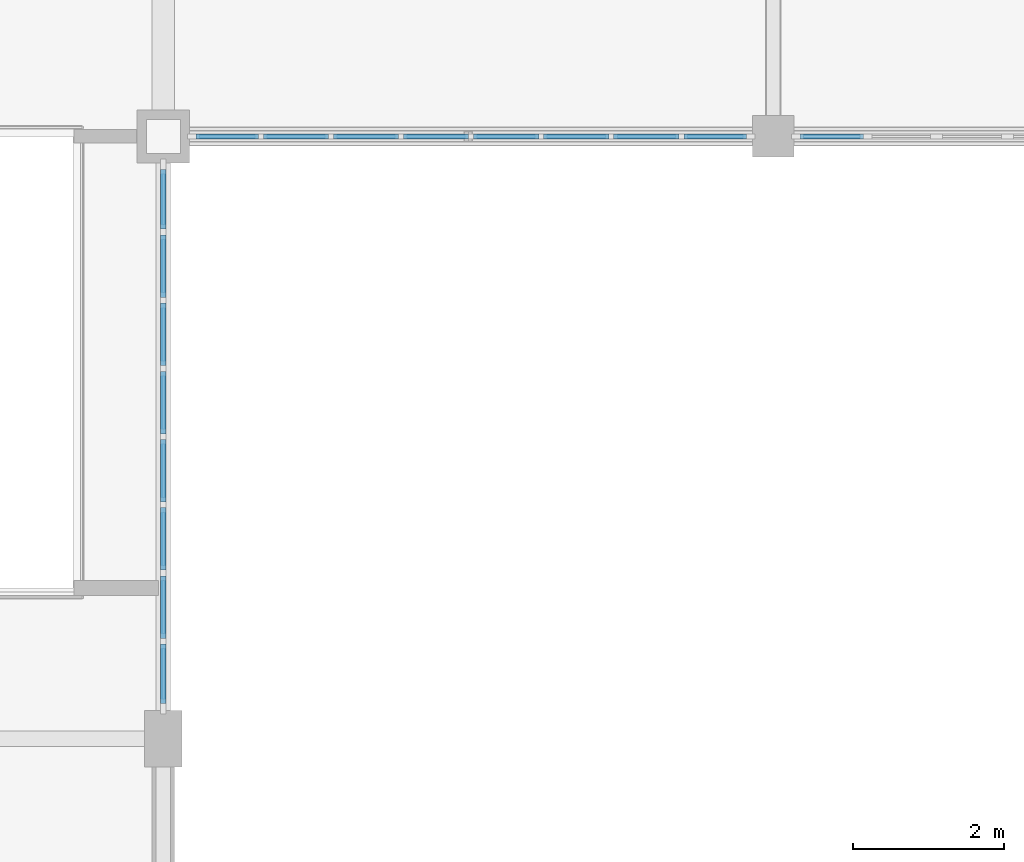
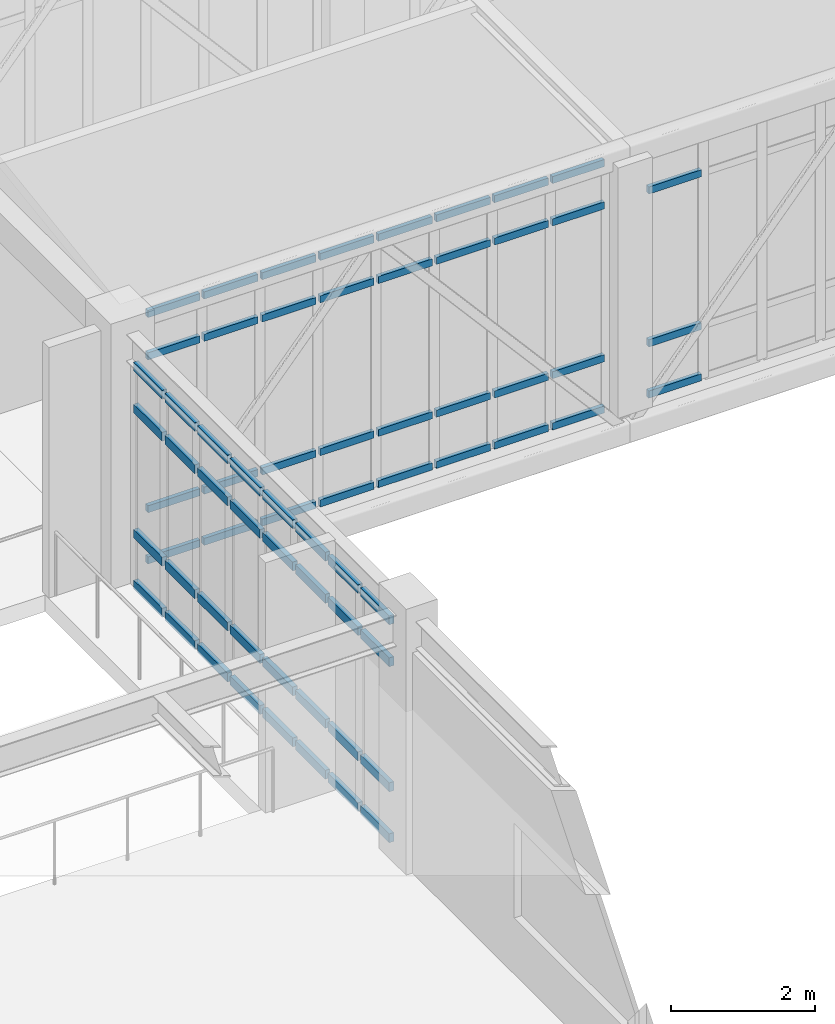
# One storey, part 21 of 67: 67 members, 3 elements without a shape of their own.
"""IFC4 building model written with IfcOpenShell, lengths in metres."""

from ifc_helpers import new_model, si_unit, direction, frame, origin, origin_2d, place, context, subcontext, project, spatial, rectangle, extrude, material, material_profile, profile_set, type_object, element, aggregate, save


model = new_model("IFC4")

# Units and contexts
model_context = context("Model", 3, precision=1e-05, world=origin(), true_north=direction((0.0, 1.0)))
body_context = subcontext(model_context, "Body", "Model", "MODEL_VIEW")
ifc_project = project(units=[si_unit("LENGTHUNIT", "METRE"), si_unit("AREAUNIT", "SQUARE_METRE"), si_unit("VOLUMEUNIT", "CUBIC_METRE"), si_unit("PLANEANGLEUNIT", "RADIAN"), si_unit("MASSUNIT", "GRAM", prefix="KILO")], contexts=[model_context])

# Site, building, storey
site_placement = place(None, origin())
site = spatial("IfcSite", under=ifc_project, at=site_placement, CompositionType="ELEMENT")
building_placement = place(site_placement, origin())
building = spatial("IfcBuilding", under=site, at=building_placement, Name="Tarnveldt Square Police Headquarters", CompositionType="ELEMENT")
storey_placement = place(building_placement, frame((0.0, 0.0, 10.199951171875)))
storey = spatial("IfcBuildingStorey", under=building, at=storey_placement, Name="L02", CompositionType="ELEMENT", Elevation=10.199951171875)

# Curtain wall, members
ifc_material_1 = material(Name="Triple-glazed low-e laminated vision glass", Category="glass")
curtain_wall_type_1 = type_object("IfcCurtainWallType", Name="CW-SB-744x424", PredefinedType="USERDEFINED", material=ifc_material_1)
curtain_wall_1_placement = place(storey_placement, origin())
curtain_wall_1 = element("IfcCurtainWall", 1, at=curtain_wall_1_placement, inside=storey, type_object=curtain_wall_type_1, Name="L02 Curtain Wall CW-L02-138", ObjectType="GLAZED CURTAIN WALL", PredefinedType="USERDEFINED")
ifc_material_2 = material(Name="Thermally broken anodised aluminium 6063-T6", Category="aluminium")
ifc_material_profile_1 = material_profile(ifc_material_2, rectangle(XDim=0.06494140625, YDim=0.1201171875, at=origin_2d()), Name="CW-T65x120")
ifc_profile_set_1 = profile_set([ifc_material_profile_1], Name="Thermally broken anodised aluminium 6063-T6")
member_type_1 = type_object("IfcMemberType", Name="CWT-65x120", PredefinedType="USERDEFINED", material=ifc_profile_set_1)
member_1_placement = place(storey_placement, frame((49.030029296875, 56.0, 0.032470703125), z_axis=(1.0, 0.0, 0.0), x_axis=(0.0, 1.0, 0.0)))
member_1 = element("IfcMember", 2, at=member_1_placement, type_object=member_type_1, Name="CW-SB85 transom 1.1", ObjectType="TRANSOM", PredefinedType="USERDEFINED", context=body_context, shape_type="SweptSolid", body=[
    extrude(rectangle(XDim=0.06494140625, YDim=0.1201171875, at=origin_2d()), origin(), (0.0, 0.0, 1.0), 0.8330078125),
])
member_2_placement = place(storey_placement, frame((49.030029296875, 56.0, 0.900146484375), z_axis=(1.0, 0.0, 0.0), x_axis=(0.0, 1.0, 0.0)))
member_2 = element("IfcMember", 3, at=member_2_placement, type_object=member_type_1, Name="CW-SB85 transom 1.2", ObjectType="TRANSOM", PredefinedType="USERDEFINED", context=body_context, shape_type="SweptSolid", body=[
    extrude(rectangle(XDim=0.06494140625, YDim=0.1201171875, at=origin_2d()), origin(), (0.0, 0.0, 1.0), 0.8330078125),
])
member_3_placement = place(storey_placement, frame((49.030029296875, 56.0, 3.489990234375), z_axis=(1.0, 0.0, 0.0), x_axis=(0.0, 1.0, 0.0)))
member_3 = element("IfcMember", 4, at=member_3_placement, type_object=member_type_1, Name="CW-SB85 transom 1.3", ObjectType="TRANSOM", PredefinedType="USERDEFINED", context=body_context, shape_type="SweptSolid", body=[
    extrude(rectangle(XDim=0.06494140625, YDim=0.1201171875, at=origin_2d()), origin(), (0.0, 0.0, 1.0), 0.8330078125),
])
member_4_placement = place(storey_placement, frame((49.030029296875, 56.0, 4.20751953125), z_axis=(1.0, 0.0, 0.0), x_axis=(0.0, 1.0, 0.0)))
member_4 = element("IfcMember", 5, at=member_4_placement, type_object=member_type_1, Name="CW-SB85 transom 1.4", ObjectType="TRANSOM", PredefinedType="USERDEFINED", context=body_context, shape_type="SweptSolid", body=[
    extrude(rectangle(XDim=0.06494140625, YDim=0.1201171875, at=origin_2d()), origin(), (0.0, 0.0, 1.0), 0.8330078125),
])
member_5_placement = place(storey_placement, frame((49.92822265625, 56.0, 0.032470703125), z_axis=(1.0, 0.0, 0.0), x_axis=(0.0, 1.0, 0.0)))
member_5 = element("IfcMember", 6, at=member_5_placement, type_object=member_type_1, Name="CW-SB85 transom 2.1", ObjectType="TRANSOM", PredefinedType="USERDEFINED", context=body_context, shape_type="SweptSolid", body=[
    extrude(rectangle(XDim=0.06494140625, YDim=0.1201171875, at=origin_2d()), origin(), (0.0, 0.0, 1.0), 0.865478515625),
])
member_6_placement = place(storey_placement, frame((49.92822265625, 56.0, 0.900146484375), z_axis=(1.0, 0.0, 0.0), x_axis=(0.0, 1.0, 0.0)))
member_6 = element("IfcMember", 7, at=member_6_placement, type_object=member_type_1, Name="CW-SB85 transom 2.2", ObjectType="TRANSOM", PredefinedType="USERDEFINED", context=body_context, shape_type="SweptSolid", body=[
    extrude(rectangle(XDim=0.06494140625, YDim=0.1201171875, at=origin_2d()), origin(), (0.0, 0.0, 1.0), 0.865478515625),
])
member_7_placement = place(storey_placement, frame((49.92822265625, 56.0, 3.489990234375), z_axis=(1.0, 0.0, 0.0), x_axis=(0.0, 1.0, 0.0)))
member_7 = element("IfcMember", 8, at=member_7_placement, type_object=member_type_1, Name="CW-SB85 transom 2.3", ObjectType="TRANSOM", PredefinedType="USERDEFINED", context=body_context, shape_type="SweptSolid", body=[
    extrude(rectangle(XDim=0.06494140625, YDim=0.1201171875, at=origin_2d()), origin(), (0.0, 0.0, 1.0), 0.865478515625),
])
member_8_placement = place(storey_placement, frame((49.92822265625, 56.0, 4.20751953125), z_axis=(1.0, 0.0, 0.0), x_axis=(0.0, 1.0, 0.0)))
member_8 = element("IfcMember", 9, at=member_8_placement, type_object=member_type_1, Name="CW-SB85 transom 2.4", ObjectType="TRANSOM", PredefinedType="USERDEFINED", context=body_context, shape_type="SweptSolid", body=[
    extrude(rectangle(XDim=0.06494140625, YDim=0.1201171875, at=origin_2d()), origin(), (0.0, 0.0, 1.0), 0.865478515625),
])
member_9_placement = place(storey_placement, frame((50.858642578125, 56.0, 0.032470703125), z_axis=(1.0, 0.0, 0.0), x_axis=(0.0, 1.0, 0.0)))
member_9 = element("IfcMember", 10, at=member_9_placement, type_object=member_type_1, Name="CW-SB85 transom 3.1", ObjectType="TRANSOM", PredefinedType="USERDEFINED", context=body_context, shape_type="SweptSolid", body=[
    extrude(rectangle(XDim=0.06494140625, YDim=0.1201171875, at=origin_2d()), origin(), (0.0, 0.0, 1.0), 0.86572265625),
])
member_10_placement = place(storey_placement, frame((50.858642578125, 56.0, 0.900146484375), z_axis=(1.0, 0.0, 0.0), x_axis=(0.0, 1.0, 0.0)))
member_10 = element("IfcMember", 11, at=member_10_placement, type_object=member_type_1, Name="CW-SB85 transom 3.2", ObjectType="TRANSOM", PredefinedType="USERDEFINED", context=body_context, shape_type="SweptSolid", body=[
    extrude(rectangle(XDim=0.06494140625, YDim=0.1201171875, at=origin_2d()), origin(), (0.0, 0.0, 1.0), 0.86572265625),
])
member_11_placement = place(storey_placement, frame((50.858642578125, 56.0, 3.489990234375), z_axis=(1.0, 0.0, 0.0), x_axis=(0.0, 1.0, 0.0)))
member_11 = element("IfcMember", 12, at=member_11_placement, type_object=member_type_1, Name="CW-SB85 transom 3.3", ObjectType="TRANSOM", PredefinedType="USERDEFINED", context=body_context, shape_type="SweptSolid", body=[
    extrude(rectangle(XDim=0.06494140625, YDim=0.1201171875, at=origin_2d()), origin(), (0.0, 0.0, 1.0), 0.86572265625),
])
member_12_placement = place(storey_placement, frame((50.858642578125, 56.0, 4.20751953125), z_axis=(1.0, 0.0, 0.0), x_axis=(0.0, 1.0, 0.0)))
member_12 = element("IfcMember", 13, at=member_12_placement, type_object=member_type_1, Name="CW-SB85 transom 3.4", ObjectType="TRANSOM", PredefinedType="USERDEFINED", context=body_context, shape_type="SweptSolid", body=[
    extrude(rectangle(XDim=0.06494140625, YDim=0.1201171875, at=origin_2d()), origin(), (0.0, 0.0, 1.0), 0.86572265625),
])
member_13_placement = place(storey_placement, frame((51.789306640625, 56.0, 0.032470703125), z_axis=(1.0, 0.0, 0.0), x_axis=(0.0, 1.0, 0.0)))
member_13 = element("IfcMember", 14, at=member_13_placement, type_object=member_type_1, Name="CW-SB85 transom 4.1", ObjectType="TRANSOM", PredefinedType="USERDEFINED", context=body_context, shape_type="SweptSolid", body=[
    extrude(rectangle(XDim=0.06494140625, YDim=0.1201171875, at=origin_2d()), origin(), (0.0, 0.0, 1.0), 0.86572265625),
])
member_14_placement = place(storey_placement, frame((51.789306640625, 56.0, 0.900146484375), z_axis=(1.0, 0.0, 0.0), x_axis=(0.0, 1.0, 0.0)))
member_14 = element("IfcMember", 15, at=member_14_placement, type_object=member_type_1, Name="CW-SB85 transom 4.2", ObjectType="TRANSOM", PredefinedType="USERDEFINED", context=body_context, shape_type="SweptSolid", body=[
    extrude(rectangle(XDim=0.06494140625, YDim=0.1201171875, at=origin_2d()), origin(), (0.0, 0.0, 1.0), 0.86572265625),
])
member_15_placement = place(storey_placement, frame((51.789306640625, 56.0, 3.489990234375), z_axis=(1.0, 0.0, 0.0), x_axis=(0.0, 1.0, 0.0)))
member_15 = element("IfcMember", 16, at=member_15_placement, type_object=member_type_1, Name="CW-SB85 transom 4.3", ObjectType="TRANSOM", PredefinedType="USERDEFINED", context=body_context, shape_type="SweptSolid", body=[
    extrude(rectangle(XDim=0.06494140625, YDim=0.1201171875, at=origin_2d()), origin(), (0.0, 0.0, 1.0), 0.86572265625),
])
member_16_placement = place(storey_placement, frame((51.789306640625, 56.0, 4.20751953125), z_axis=(1.0, 0.0, 0.0), x_axis=(0.0, 1.0, 0.0)))
member_16 = element("IfcMember", 17, at=member_16_placement, type_object=member_type_1, Name="CW-SB85 transom 4.4", ObjectType="TRANSOM", PredefinedType="USERDEFINED", context=body_context, shape_type="SweptSolid", body=[
    extrude(rectangle(XDim=0.06494140625, YDim=0.1201171875, at=origin_2d()), origin(), (0.0, 0.0, 1.0), 0.86572265625),
])
member_17_placement = place(storey_placement, frame((52.719970703125, 56.0, 0.032470703125), z_axis=(1.0, 0.0, 0.0), x_axis=(0.0, 1.0, 0.0)))
member_17 = element("IfcMember", 18, at=member_17_placement, type_object=member_type_1, Name="CW-SB85 transom 5.1", ObjectType="TRANSOM", PredefinedType="USERDEFINED", context=body_context, shape_type="SweptSolid", body=[
    extrude(rectangle(XDim=0.06494140625, YDim=0.1201171875, at=origin_2d()), origin(), (0.0, 0.0, 1.0), 0.86572265625),
])
member_18_placement = place(storey_placement, frame((52.719970703125, 56.0, 0.900146484375), z_axis=(1.0, 0.0, 0.0), x_axis=(0.0, 1.0, 0.0)))
member_18 = element("IfcMember", 19, at=member_18_placement, type_object=member_type_1, Name="CW-SB85 transom 5.2", ObjectType="TRANSOM", PredefinedType="USERDEFINED", context=body_context, shape_type="SweptSolid", body=[
    extrude(rectangle(XDim=0.06494140625, YDim=0.1201171875, at=origin_2d()), origin(), (0.0, 0.0, 1.0), 0.86572265625),
])
member_19_placement = place(storey_placement, frame((52.719970703125, 56.0, 3.489990234375), z_axis=(1.0, 0.0, 0.0), x_axis=(0.0, 1.0, 0.0)))
member_19 = element("IfcMember", 20, at=member_19_placement, type_object=member_type_1, Name="CW-SB85 transom 5.3", ObjectType="TRANSOM", PredefinedType="USERDEFINED", context=body_context, shape_type="SweptSolid", body=[
    extrude(rectangle(XDim=0.06494140625, YDim=0.1201171875, at=origin_2d()), origin(), (0.0, 0.0, 1.0), 0.86572265625),
])
member_20_placement = place(storey_placement, frame((52.719970703125, 56.0, 4.20751953125), z_axis=(1.0, 0.0, 0.0), x_axis=(0.0, 1.0, 0.0)))
member_20 = element("IfcMember", 21, at=member_20_placement, type_object=member_type_1, Name="CW-SB85 transom 5.4", ObjectType="TRANSOM", PredefinedType="USERDEFINED", context=body_context, shape_type="SweptSolid", body=[
    extrude(rectangle(XDim=0.06494140625, YDim=0.1201171875, at=origin_2d()), origin(), (0.0, 0.0, 1.0), 0.86572265625),
])
member_21_placement = place(storey_placement, frame((53.650634765625, 56.0, 0.032470703125), z_axis=(1.0, 0.0, 0.0), x_axis=(0.0, 1.0, 0.0)))
member_21 = element("IfcMember", 22, at=member_21_placement, type_object=member_type_1, Name="CW-SB85 transom 6.1", ObjectType="TRANSOM", PredefinedType="USERDEFINED", context=body_context, shape_type="SweptSolid", body=[
    extrude(rectangle(XDim=0.06494140625, YDim=0.1201171875, at=origin_2d()), origin(), (0.0, 0.0, 1.0), 0.86572265625),
])
member_22_placement = place(storey_placement, frame((53.650634765625, 56.0, 0.900146484375), z_axis=(1.0, 0.0, 0.0), x_axis=(0.0, 1.0, 0.0)))
member_22 = element("IfcMember", 23, at=member_22_placement, type_object=member_type_1, Name="CW-SB85 transom 6.2", ObjectType="TRANSOM", PredefinedType="USERDEFINED", context=body_context, shape_type="SweptSolid", body=[
    extrude(rectangle(XDim=0.06494140625, YDim=0.1201171875, at=origin_2d()), origin(), (0.0, 0.0, 1.0), 0.86572265625),
])
member_23_placement = place(storey_placement, frame((53.650634765625, 56.0, 3.489990234375), z_axis=(1.0, 0.0, 0.0), x_axis=(0.0, 1.0, 0.0)))
member_23 = element("IfcMember", 24, at=member_23_placement, type_object=member_type_1, Name="CW-SB85 transom 6.3", ObjectType="TRANSOM", PredefinedType="USERDEFINED", context=body_context, shape_type="SweptSolid", body=[
    extrude(rectangle(XDim=0.06494140625, YDim=0.1201171875, at=origin_2d()), origin(), (0.0, 0.0, 1.0), 0.86572265625),
])
member_24_placement = place(storey_placement, frame((53.650634765625, 56.0, 4.20751953125), z_axis=(1.0, 0.0, 0.0), x_axis=(0.0, 1.0, 0.0)))
member_24 = element("IfcMember", 25, at=member_24_placement, type_object=member_type_1, Name="CW-SB85 transom 6.4", ObjectType="TRANSOM", PredefinedType="USERDEFINED", context=body_context, shape_type="SweptSolid", body=[
    extrude(rectangle(XDim=0.06494140625, YDim=0.1201171875, at=origin_2d()), origin(), (0.0, 0.0, 1.0), 0.86572265625),
])
member_25_placement = place(storey_placement, frame((54.581298828125, 56.0, 0.032470703125), z_axis=(1.0, 0.0, 0.0), x_axis=(0.0, 1.0, 0.0)))
member_25 = element("IfcMember", 26, at=member_25_placement, type_object=member_type_1, Name="CW-SB85 transom 7.1", ObjectType="TRANSOM", PredefinedType="USERDEFINED", context=body_context, shape_type="SweptSolid", body=[
    extrude(rectangle(XDim=0.06494140625, YDim=0.1201171875, at=origin_2d()), origin(), (0.0, 0.0, 1.0), 0.865478515625),
])
member_26_placement = place(storey_placement, frame((54.581298828125, 56.0, 0.900146484375), z_axis=(1.0, 0.0, 0.0), x_axis=(0.0, 1.0, 0.0)))
member_26 = element("IfcMember", 27, at=member_26_placement, type_object=member_type_1, Name="CW-SB85 transom 7.2", ObjectType="TRANSOM", PredefinedType="USERDEFINED", context=body_context, shape_type="SweptSolid", body=[
    extrude(rectangle(XDim=0.06494140625, YDim=0.1201171875, at=origin_2d()), origin(), (0.0, 0.0, 1.0), 0.865478515625),
])
member_27_placement = place(storey_placement, frame((54.581298828125, 56.0, 3.489990234375), z_axis=(1.0, 0.0, 0.0), x_axis=(0.0, 1.0, 0.0)))
member_27 = element("IfcMember", 28, at=member_27_placement, type_object=member_type_1, Name="CW-SB85 transom 7.3", ObjectType="TRANSOM", PredefinedType="USERDEFINED", context=body_context, shape_type="SweptSolid", body=[
    extrude(rectangle(XDim=0.06494140625, YDim=0.1201171875, at=origin_2d()), origin(), (0.0, 0.0, 1.0), 0.865478515625),
])
member_28_placement = place(storey_placement, frame((54.581298828125, 56.0, 4.20751953125), z_axis=(1.0, 0.0, 0.0), x_axis=(0.0, 1.0, 0.0)))
member_28 = element("IfcMember", 29, at=member_28_placement, type_object=member_type_1, Name="CW-SB85 transom 7.4", ObjectType="TRANSOM", PredefinedType="USERDEFINED", context=body_context, shape_type="SweptSolid", body=[
    extrude(rectangle(XDim=0.06494140625, YDim=0.1201171875, at=origin_2d()), origin(), (0.0, 0.0, 1.0), 0.865478515625),
])
member_29_placement = place(storey_placement, frame((55.511962890625, 56.0, 0.032470703125), z_axis=(1.0, 0.0, 0.0), x_axis=(0.0, 1.0, 0.0)))
member_29 = element("IfcMember", 30, at=member_29_placement, type_object=member_type_1, Name="CW-SB85 transom 8.1", ObjectType="TRANSOM", PredefinedType="USERDEFINED", context=body_context, shape_type="SweptSolid", body=[
    extrude(rectangle(XDim=0.06494140625, YDim=0.1201171875, at=origin_2d()), origin(), (0.0, 0.0, 1.0), 0.8330078125),
])
member_30_placement = place(storey_placement, frame((55.511962890625, 56.0, 0.900146484375), z_axis=(1.0, 0.0, 0.0), x_axis=(0.0, 1.0, 0.0)))
member_30 = element("IfcMember", 31, at=member_30_placement, type_object=member_type_1, Name="CW-SB85 transom 8.2", ObjectType="TRANSOM", PredefinedType="USERDEFINED", context=body_context, shape_type="SweptSolid", body=[
    extrude(rectangle(XDim=0.06494140625, YDim=0.1201171875, at=origin_2d()), origin(), (0.0, 0.0, 1.0), 0.8330078125),
])
member_31_placement = place(storey_placement, frame((55.511962890625, 56.0, 3.489990234375), z_axis=(1.0, 0.0, 0.0), x_axis=(0.0, 1.0, 0.0)))
member_31 = element("IfcMember", 32, at=member_31_placement, type_object=member_type_1, Name="CW-SB85 transom 8.3", ObjectType="TRANSOM", PredefinedType="USERDEFINED", context=body_context, shape_type="SweptSolid", body=[
    extrude(rectangle(XDim=0.06494140625, YDim=0.1201171875, at=origin_2d()), origin(), (0.0, 0.0, 1.0), 0.8330078125),
])
member_32_placement = place(storey_placement, frame((55.511962890625, 56.0, 4.20751953125), z_axis=(1.0, 0.0, 0.0), x_axis=(0.0, 1.0, 0.0)))
member_32 = element("IfcMember", 33, at=member_32_placement, type_object=member_type_1, Name="CW-SB85 transom 8.4", ObjectType="TRANSOM", PredefinedType="USERDEFINED", context=body_context, shape_type="SweptSolid", body=[
    extrude(rectangle(XDim=0.06494140625, YDim=0.1201171875, at=origin_2d()), origin(), (0.0, 0.0, 1.0), 0.8330078125),
])
aggregate(curtain_wall_1, [member_1, member_2, member_3, member_4, member_5, member_6, member_7, member_8, member_9, member_10, member_11, member_12, member_13, member_14, member_15, member_16, member_17, member_18, member_19, member_20, member_21, member_22, member_23, member_24, member_25, member_26, member_27, member_28, member_29, member_30, member_31, member_32])

curtain_wall_type_2 = type_object("IfcCurtainWallType", Name="CW-SB-752x424", PredefinedType="USERDEFINED", material=ifc_material_1)
curtain_wall_2_placement = place(storey_placement, origin())
curtain_wall_2 = element("IfcCurtainWall", 34, at=curtain_wall_2_placement, inside=storey, type_object=curtain_wall_type_2, Name="L02 Curtain Wall CW-L02-139", ObjectType="GLAZED CURTAIN WALL", PredefinedType="USERDEFINED")
member_33_placement = place(storey_placement, frame((57.054931640625, 56.0, 0.032470703125), z_axis=(1.0, 0.0, 0.0), x_axis=(0.0, 1.0, 0.0)))
member_33 = element("IfcMember", 35, at=member_33_placement, type_object=member_type_1, Name="CW-SB86 transom 1.1", ObjectType="TRANSOM", PredefinedType="USERDEFINED", context=body_context, shape_type="SweptSolid", body=[
    extrude(rectangle(XDim=0.06494140625, YDim=0.1201171875, at=origin_2d()), origin(), (0.0, 0.0, 1.0), 0.842529296875),
])
member_34_placement = place(storey_placement, frame((57.054931640625, 56.0, 0.900146484375), z_axis=(1.0, 0.0, 0.0), x_axis=(0.0, 1.0, 0.0)))
member_34 = element("IfcMember", 36, at=member_34_placement, type_object=member_type_1, Name="CW-SB86 transom 1.2", ObjectType="TRANSOM", PredefinedType="USERDEFINED", context=body_context, shape_type="SweptSolid", body=[
    extrude(rectangle(XDim=0.06494140625, YDim=0.1201171875, at=origin_2d()), origin(), (0.0, 0.0, 1.0), 0.842529296875),
])
member_35_placement = place(storey_placement, frame((57.054931640625, 56.0, 3.489990234375), z_axis=(1.0, 0.0, 0.0), x_axis=(0.0, 1.0, 0.0)))
member_35 = element("IfcMember", 37, at=member_35_placement, type_object=member_type_1, Name="CW-SB86 transom 1.3", ObjectType="TRANSOM", PredefinedType="USERDEFINED", context=body_context, shape_type="SweptSolid", body=[
    extrude(rectangle(XDim=0.06494140625, YDim=0.1201171875, at=origin_2d()), origin(), (0.0, 0.0, 1.0), 0.842529296875),
])
aggregate(curtain_wall_2, [member_33, member_34, member_35])

curtain_wall_type_3 = type_object("IfcCurtainWallType", Name="CW-WG-724x377", PredefinedType="USERDEFINED", material=ifc_material_1)
curtain_wall_3_placement = place(storey_placement, origin())
curtain_wall_3 = element("IfcCurtainWall", 38, at=curtain_wall_3_placement, inside=storey, type_object=curtain_wall_type_3, Name="L02 Curtain Wall CW-L02-073", ObjectType="GLAZED CURTAIN WALL", PredefinedType="USERDEFINED")
ifc_material_profile_2 = material_profile(ifc_material_2, rectangle(XDim=0.074951171875, YDim=0.14990234375, at=origin_2d()), Name="CW-T75x150")
ifc_profile_set_2 = profile_set([ifc_material_profile_2], Name="Thermally broken anodised aluminium 6063-T6")
member_type_2 = type_object("IfcMemberType", Name="CWT-75x150", PredefinedType="USERDEFINED", material=ifc_profile_set_2)
member_36_placement = place(storey_placement, frame((48.60009765625, 48.465087890625, 0.03759765625), z_axis=(0.0, 1.0, 0.0), x_axis=(-1.0, 0.0, 0.0)))
member_36 = element("IfcMember", 39, at=member_36_placement, type_object=member_type_2, Name="CW-WG33 transom 1.1", ObjectType="TRANSOM", PredefinedType="USERDEFINED", context=body_context, shape_type="SweptSolid", body=[
    extrude(rectangle(XDim=0.074951171875, YDim=0.14990234375, at=origin_2d()), origin(), (0.0, 0.0, 1.0), 0.79296875),
])
member_37_placement = place(storey_placement, frame((48.60009765625, 48.465087890625, 0.900146484375), z_axis=(0.0, 1.0, 0.0), x_axis=(-1.0, 0.0, 0.0)))
member_37 = element("IfcMember", 40, at=member_37_placement, type_object=member_type_2, Name="CW-WG33 transom 1.2", ObjectType="TRANSOM", PredefinedType="USERDEFINED", context=body_context, shape_type="SweptSolid", body=[
    extrude(rectangle(XDim=0.074951171875, YDim=0.14990234375, at=origin_2d()), origin(), (0.0, 0.0, 1.0), 0.79296875),
])
member_38_placement = place(storey_placement, frame((48.60009765625, 48.465087890625, 3.01904296875), z_axis=(0.0, 1.0, 0.0), x_axis=(-1.0, 0.0, 0.0)))
member_38 = element("IfcMember", 41, at=member_38_placement, type_object=member_type_2, Name="CW-WG33 transom 1.3", ObjectType="TRANSOM", PredefinedType="USERDEFINED", context=body_context, shape_type="SweptSolid", body=[
    extrude(rectangle(XDim=0.074951171875, YDim=0.14990234375, at=origin_2d()), origin(), (0.0, 0.0, 1.0), 0.79296875),
])
member_39_placement = place(storey_placement, frame((48.60009765625, 48.465087890625, 3.7314453125), z_axis=(0.0, 1.0, 0.0), x_axis=(-1.0, 0.0, 0.0)))
member_39 = element("IfcMember", 42, at=member_39_placement, type_object=member_type_2, Name="CW-WG33 transom 1.4", ObjectType="TRANSOM", PredefinedType="USERDEFINED", context=body_context, shape_type="SweptSolid", body=[
    extrude(rectangle(XDim=0.074951171875, YDim=0.14990234375, at=origin_2d()), origin(), (0.0, 0.0, 1.0), 0.79296875),
])
member_40_placement = place(storey_placement, frame((48.60009765625, 49.3330078125, 0.03759765625), z_axis=(0.0, 1.0, 0.0), x_axis=(-1.0, 0.0, 0.0)))
member_40 = element("IfcMember", 43, at=member_40_placement, type_object=member_type_2, Name="CW-WG33 transom 2.1", ObjectType="TRANSOM", PredefinedType="USERDEFINED", context=body_context, shape_type="SweptSolid", body=[
    extrude(rectangle(XDim=0.074951171875, YDim=0.14990234375, at=origin_2d()), origin(), (0.0, 0.0, 1.0), 0.830810546875),
])
member_41_placement = place(storey_placement, frame((48.60009765625, 49.3330078125, 0.900146484375), z_axis=(0.0, 1.0, 0.0), x_axis=(-1.0, 0.0, 0.0)))
member_41 = element("IfcMember", 44, at=member_41_placement, type_object=member_type_2, Name="CW-WG33 transom 2.2", ObjectType="TRANSOM", PredefinedType="USERDEFINED", context=body_context, shape_type="SweptSolid", body=[
    extrude(rectangle(XDim=0.074951171875, YDim=0.14990234375, at=origin_2d()), origin(), (0.0, 0.0, 1.0), 0.830810546875),
])
member_42_placement = place(storey_placement, frame((48.60009765625, 49.3330078125, 3.01904296875), z_axis=(0.0, 1.0, 0.0), x_axis=(-1.0, 0.0, 0.0)))
member_42 = element("IfcMember", 45, at=member_42_placement, type_object=member_type_2, Name="CW-WG33 transom 2.3", ObjectType="TRANSOM", PredefinedType="USERDEFINED", context=body_context, shape_type="SweptSolid", body=[
    extrude(rectangle(XDim=0.074951171875, YDim=0.14990234375, at=origin_2d()), origin(), (0.0, 0.0, 1.0), 0.830810546875),
])
member_43_placement = place(storey_placement, frame((48.60009765625, 49.3330078125, 3.7314453125), z_axis=(0.0, 1.0, 0.0), x_axis=(-1.0, 0.0, 0.0)))
member_43 = element("IfcMember", 46, at=member_43_placement, type_object=member_type_2, Name="CW-WG33 transom 2.4", ObjectType="TRANSOM", PredefinedType="USERDEFINED", context=body_context, shape_type="SweptSolid", body=[
    extrude(rectangle(XDim=0.074951171875, YDim=0.14990234375, at=origin_2d()), origin(), (0.0, 0.0, 1.0), 0.830810546875),
])
member_44_placement = place(storey_placement, frame((48.60009765625, 50.23876953125, 0.03759765625), z_axis=(0.0, 1.0, 0.0), x_axis=(-1.0, 0.0, 0.0)))
member_44 = element("IfcMember", 47, at=member_44_placement, type_object=member_type_2, Name="CW-WG33 transom 3.1", ObjectType="TRANSOM", PredefinedType="USERDEFINED", context=body_context, shape_type="SweptSolid", body=[
    extrude(rectangle(XDim=0.074951171875, YDim=0.14990234375, at=origin_2d()), origin(), (0.0, 0.0, 1.0), 0.83056640625),
])
member_45_placement = place(storey_placement, frame((48.60009765625, 50.23876953125, 0.900146484375), z_axis=(0.0, 1.0, 0.0), x_axis=(-1.0, 0.0, 0.0)))
member_45 = element("IfcMember", 48, at=member_45_placement, type_object=member_type_2, Name="CW-WG33 transom 3.2", ObjectType="TRANSOM", PredefinedType="USERDEFINED", context=body_context, shape_type="SweptSolid", body=[
    extrude(rectangle(XDim=0.074951171875, YDim=0.14990234375, at=origin_2d()), origin(), (0.0, 0.0, 1.0), 0.83056640625),
])
member_46_placement = place(storey_placement, frame((48.60009765625, 50.23876953125, 3.01904296875), z_axis=(0.0, 1.0, 0.0), x_axis=(-1.0, 0.0, 0.0)))
member_46 = element("IfcMember", 49, at=member_46_placement, type_object=member_type_2, Name="CW-WG33 transom 3.3", ObjectType="TRANSOM", PredefinedType="USERDEFINED", context=body_context, shape_type="SweptSolid", body=[
    extrude(rectangle(XDim=0.074951171875, YDim=0.14990234375, at=origin_2d()), origin(), (0.0, 0.0, 1.0), 0.83056640625),
])
member_47_placement = place(storey_placement, frame((48.60009765625, 50.23876953125, 3.7314453125), z_axis=(0.0, 1.0, 0.0), x_axis=(-1.0, 0.0, 0.0)))
member_47 = element("IfcMember", 50, at=member_47_placement, type_object=member_type_2, Name="CW-WG33 transom 3.4", ObjectType="TRANSOM", PredefinedType="USERDEFINED", context=body_context, shape_type="SweptSolid", body=[
    extrude(rectangle(XDim=0.074951171875, YDim=0.14990234375, at=origin_2d()), origin(), (0.0, 0.0, 1.0), 0.83056640625),
])
member_48_placement = place(storey_placement, frame((48.60009765625, 51.144287109375, 0.03759765625), z_axis=(0.0, 1.0, 0.0), x_axis=(-1.0, 0.0, 0.0)))
member_48 = element("IfcMember", 51, at=member_48_placement, type_object=member_type_2, Name="CW-WG33 transom 4.1", ObjectType="TRANSOM", PredefinedType="USERDEFINED", context=body_context, shape_type="SweptSolid", body=[
    extrude(rectangle(XDim=0.074951171875, YDim=0.14990234375, at=origin_2d()), origin(), (0.0, 0.0, 1.0), 0.830810546875),
])
member_49_placement = place(storey_placement, frame((48.60009765625, 51.144287109375, 0.900146484375), z_axis=(0.0, 1.0, 0.0), x_axis=(-1.0, 0.0, 0.0)))
member_49 = element("IfcMember", 52, at=member_49_placement, type_object=member_type_2, Name="CW-WG33 transom 4.2", ObjectType="TRANSOM", PredefinedType="USERDEFINED", context=body_context, shape_type="SweptSolid", body=[
    extrude(rectangle(XDim=0.074951171875, YDim=0.14990234375, at=origin_2d()), origin(), (0.0, 0.0, 1.0), 0.830810546875),
])
member_50_placement = place(storey_placement, frame((48.60009765625, 51.144287109375, 3.01904296875), z_axis=(0.0, 1.0, 0.0), x_axis=(-1.0, 0.0, 0.0)))
member_50 = element("IfcMember", 53, at=member_50_placement, type_object=member_type_2, Name="CW-WG33 transom 4.3", ObjectType="TRANSOM", PredefinedType="USERDEFINED", context=body_context, shape_type="SweptSolid", body=[
    extrude(rectangle(XDim=0.074951171875, YDim=0.14990234375, at=origin_2d()), origin(), (0.0, 0.0, 1.0), 0.830810546875),
])
member_51_placement = place(storey_placement, frame((48.60009765625, 51.144287109375, 3.7314453125), z_axis=(0.0, 1.0, 0.0), x_axis=(-1.0, 0.0, 0.0)))
member_51 = element("IfcMember", 54, at=member_51_placement, type_object=member_type_2, Name="CW-WG33 transom 4.4", ObjectType="TRANSOM", PredefinedType="USERDEFINED", context=body_context, shape_type="SweptSolid", body=[
    extrude(rectangle(XDim=0.074951171875, YDim=0.14990234375, at=origin_2d()), origin(), (0.0, 0.0, 1.0), 0.830810546875),
])
member_52_placement = place(storey_placement, frame((48.60009765625, 52.050048828125, 0.03759765625), z_axis=(0.0, 1.0, 0.0), x_axis=(-1.0, 0.0, 0.0)))
member_52 = element("IfcMember", 55, at=member_52_placement, type_object=member_type_2, Name="CW-WG33 transom 5.1", ObjectType="TRANSOM", PredefinedType="USERDEFINED", context=body_context, shape_type="SweptSolid", body=[
    extrude(rectangle(XDim=0.074951171875, YDim=0.14990234375, at=origin_2d()), origin(), (0.0, 0.0, 1.0), 0.83056640625),
])
member_53_placement = place(storey_placement, frame((48.60009765625, 52.050048828125, 0.900146484375), z_axis=(0.0, 1.0, 0.0), x_axis=(-1.0, 0.0, 0.0)))
member_53 = element("IfcMember", 56, at=member_53_placement, type_object=member_type_2, Name="CW-WG33 transom 5.2", ObjectType="TRANSOM", PredefinedType="USERDEFINED", context=body_context, shape_type="SweptSolid", body=[
    extrude(rectangle(XDim=0.074951171875, YDim=0.14990234375, at=origin_2d()), origin(), (0.0, 0.0, 1.0), 0.83056640625),
])
member_54_placement = place(storey_placement, frame((48.60009765625, 52.050048828125, 3.01904296875), z_axis=(0.0, 1.0, 0.0), x_axis=(-1.0, 0.0, 0.0)))
member_54 = element("IfcMember", 57, at=member_54_placement, type_object=member_type_2, Name="CW-WG33 transom 5.3", ObjectType="TRANSOM", PredefinedType="USERDEFINED", context=body_context, shape_type="SweptSolid", body=[
    extrude(rectangle(XDim=0.074951171875, YDim=0.14990234375, at=origin_2d()), origin(), (0.0, 0.0, 1.0), 0.83056640625),
])
member_55_placement = place(storey_placement, frame((48.60009765625, 52.050048828125, 3.7314453125), z_axis=(0.0, 1.0, 0.0), x_axis=(-1.0, 0.0, 0.0)))
member_55 = element("IfcMember", 58, at=member_55_placement, type_object=member_type_2, Name="CW-WG33 transom 5.4", ObjectType="TRANSOM", PredefinedType="USERDEFINED", context=body_context, shape_type="SweptSolid", body=[
    extrude(rectangle(XDim=0.074951171875, YDim=0.14990234375, at=origin_2d()), origin(), (0.0, 0.0, 1.0), 0.83056640625),
])
member_56_placement = place(storey_placement, frame((48.60009765625, 52.95556640625, 0.03759765625), z_axis=(0.0, 1.0, 0.0), x_axis=(-1.0, 0.0, 0.0)))
member_56 = element("IfcMember", 59, at=member_56_placement, type_object=member_type_2, Name="CW-WG33 transom 6.1", ObjectType="TRANSOM", PredefinedType="USERDEFINED", context=body_context, shape_type="SweptSolid", body=[
    extrude(rectangle(XDim=0.074951171875, YDim=0.14990234375, at=origin_2d()), origin(), (0.0, 0.0, 1.0), 0.83056640625),
])
member_57_placement = place(storey_placement, frame((48.60009765625, 52.95556640625, 0.900146484375), z_axis=(0.0, 1.0, 0.0), x_axis=(-1.0, 0.0, 0.0)))
member_57 = element("IfcMember", 60, at=member_57_placement, type_object=member_type_2, Name="CW-WG33 transom 6.2", ObjectType="TRANSOM", PredefinedType="USERDEFINED", context=body_context, shape_type="SweptSolid", body=[
    extrude(rectangle(XDim=0.074951171875, YDim=0.14990234375, at=origin_2d()), origin(), (0.0, 0.0, 1.0), 0.83056640625),
])
member_58_placement = place(storey_placement, frame((48.60009765625, 52.95556640625, 3.01904296875), z_axis=(0.0, 1.0, 0.0), x_axis=(-1.0, 0.0, 0.0)))
member_58 = element("IfcMember", 61, at=member_58_placement, type_object=member_type_2, Name="CW-WG33 transom 6.3", ObjectType="TRANSOM", PredefinedType="USERDEFINED", context=body_context, shape_type="SweptSolid", body=[
    extrude(rectangle(XDim=0.074951171875, YDim=0.14990234375, at=origin_2d()), origin(), (0.0, 0.0, 1.0), 0.83056640625),
])
member_59_placement = place(storey_placement, frame((48.60009765625, 52.95556640625, 3.7314453125), z_axis=(0.0, 1.0, 0.0), x_axis=(-1.0, 0.0, 0.0)))
member_59 = element("IfcMember", 62, at=member_59_placement, type_object=member_type_2, Name="CW-WG33 transom 6.4", ObjectType="TRANSOM", PredefinedType="USERDEFINED", context=body_context, shape_type="SweptSolid", body=[
    extrude(rectangle(XDim=0.074951171875, YDim=0.14990234375, at=origin_2d()), origin(), (0.0, 0.0, 1.0), 0.83056640625),
])
member_60_placement = place(storey_placement, frame((48.60009765625, 53.861328125, 0.03759765625), z_axis=(0.0, 1.0, 0.0), x_axis=(-1.0, 0.0, 0.0)))
member_60 = element("IfcMember", 63, at=member_60_placement, type_object=member_type_2, Name="CW-WG33 transom 7.1", ObjectType="TRANSOM", PredefinedType="USERDEFINED", context=body_context, shape_type="SweptSolid", body=[
    extrude(rectangle(XDim=0.074951171875, YDim=0.14990234375, at=origin_2d()), origin(), (0.0, 0.0, 1.0), 0.83056640625),
])
member_61_placement = place(storey_placement, frame((48.60009765625, 53.861328125, 0.900146484375), z_axis=(0.0, 1.0, 0.0), x_axis=(-1.0, 0.0, 0.0)))
member_61 = element("IfcMember", 64, at=member_61_placement, type_object=member_type_2, Name="CW-WG33 transom 7.2", ObjectType="TRANSOM", PredefinedType="USERDEFINED", context=body_context, shape_type="SweptSolid", body=[
    extrude(rectangle(XDim=0.074951171875, YDim=0.14990234375, at=origin_2d()), origin(), (0.0, 0.0, 1.0), 0.83056640625),
])
member_62_placement = place(storey_placement, frame((48.60009765625, 53.861328125, 3.01904296875), z_axis=(0.0, 1.0, 0.0), x_axis=(-1.0, 0.0, 0.0)))
member_62 = element("IfcMember", 65, at=member_62_placement, type_object=member_type_2, Name="CW-WG33 transom 7.3", ObjectType="TRANSOM", PredefinedType="USERDEFINED", context=body_context, shape_type="SweptSolid", body=[
    extrude(rectangle(XDim=0.074951171875, YDim=0.14990234375, at=origin_2d()), origin(), (0.0, 0.0, 1.0), 0.83056640625),
])
member_63_placement = place(storey_placement, frame((48.60009765625, 53.861328125, 3.7314453125), z_axis=(0.0, 1.0, 0.0), x_axis=(-1.0, 0.0, 0.0)))
member_63 = element("IfcMember", 66, at=member_63_placement, type_object=member_type_2, Name="CW-WG33 transom 7.4", ObjectType="TRANSOM", PredefinedType="USERDEFINED", context=body_context, shape_type="SweptSolid", body=[
    extrude(rectangle(XDim=0.074951171875, YDim=0.14990234375, at=origin_2d()), origin(), (0.0, 0.0, 1.0), 0.83056640625),
])
member_64_placement = place(storey_placement, frame((48.60009765625, 54.766845703125, 0.03759765625), z_axis=(0.0, 1.0, 0.0), x_axis=(-1.0, 0.0, 0.0)))
member_64 = element("IfcMember", 67, at=member_64_placement, type_object=member_type_2, Name="CW-WG33 transom 8.1", ObjectType="TRANSOM", PredefinedType="USERDEFINED", context=body_context, shape_type="SweptSolid", body=[
    extrude(rectangle(XDim=0.074951171875, YDim=0.14990234375, at=origin_2d()), origin(), (0.0, 0.0, 1.0), 0.793212890625),
])
member_65_placement = place(storey_placement, frame((48.60009765625, 54.766845703125, 0.900146484375), z_axis=(0.0, 1.0, 0.0), x_axis=(-1.0, 0.0, 0.0)))
member_65 = element("IfcMember", 68, at=member_65_placement, type_object=member_type_2, Name="CW-WG33 transom 8.2", ObjectType="TRANSOM", PredefinedType="USERDEFINED", context=body_context, shape_type="SweptSolid", body=[
    extrude(rectangle(XDim=0.074951171875, YDim=0.14990234375, at=origin_2d()), origin(), (0.0, 0.0, 1.0), 0.793212890625),
])
member_66_placement = place(storey_placement, frame((48.60009765625, 54.766845703125, 3.01904296875), z_axis=(0.0, 1.0, 0.0), x_axis=(-1.0, 0.0, 0.0)))
member_66 = element("IfcMember", 69, at=member_66_placement, type_object=member_type_2, Name="CW-WG33 transom 8.3", ObjectType="TRANSOM", PredefinedType="USERDEFINED", context=body_context, shape_type="SweptSolid", body=[
    extrude(rectangle(XDim=0.074951171875, YDim=0.14990234375, at=origin_2d()), origin(), (0.0, 0.0, 1.0), 0.793212890625),
])
member_67_placement = place(storey_placement, frame((48.60009765625, 54.766845703125, 3.7314453125), z_axis=(0.0, 1.0, 0.0), x_axis=(-1.0, 0.0, 0.0)))
member_67 = element("IfcMember", 70, at=member_67_placement, type_object=member_type_2, Name="CW-WG33 transom 8.4", ObjectType="TRANSOM", PredefinedType="USERDEFINED", context=body_context, shape_type="SweptSolid", body=[
    extrude(rectangle(XDim=0.074951171875, YDim=0.14990234375, at=origin_2d()), origin(), (0.0, 0.0, 1.0), 0.793212890625),
])
aggregate(curtain_wall_3, [member_36, member_37, member_38, member_39, member_40, member_41, member_42, member_43, member_44, member_45, member_46, member_47, member_48, member_49, member_50, member_51, member_52, member_53, member_54, member_55, member_56, member_57, member_58, member_59, member_60, member_61, member_62, member_63, member_64, member_65, member_66, member_67])

save(model, "model.ifc")
